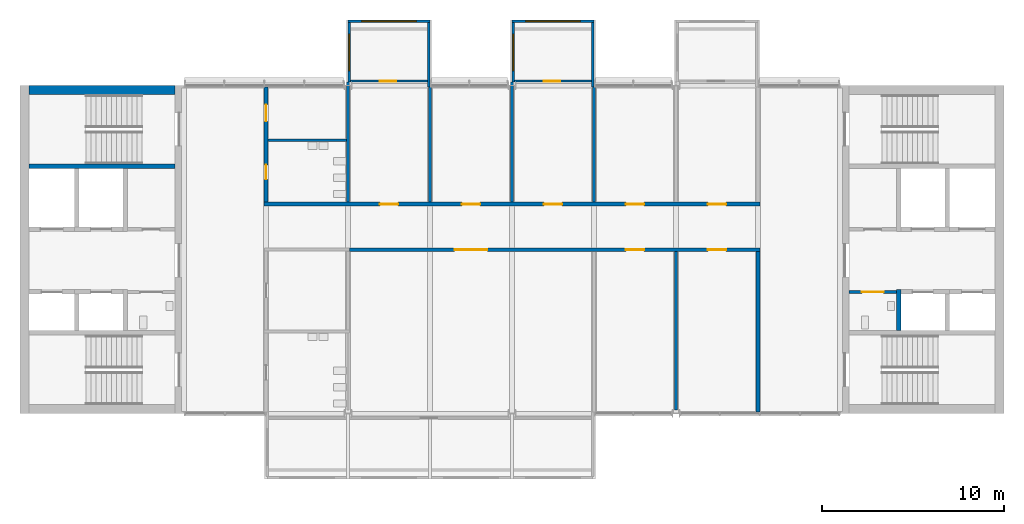
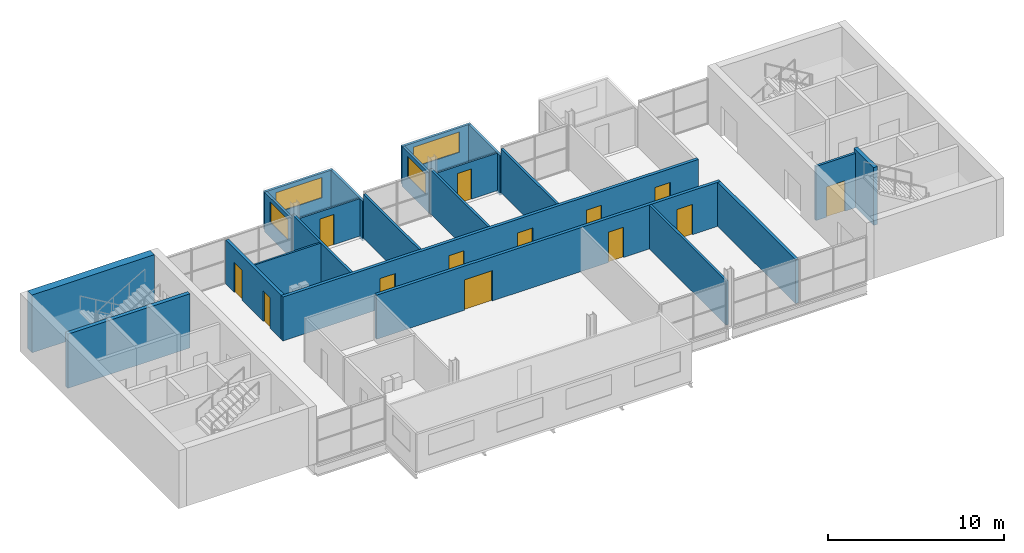
# One storey, part 6 of 11: 22 walls, 13 doors, 4 windows, 17 openings.
"""IFC4 building model written with IfcOpenShell, lengths in metres."""

from ifc_helpers import new_model, si_unit, direction, frame, frame_2d, origin, place, context, subcontext, project, spatial, rectangle, extrude, material, layer, layer_set, type_object, element, fill, save


model = new_model("IFC4")

# Units and contexts
model_context = context("Model", 3, precision=1e-05, world=origin(), true_north=direction((0.0, 1.0)))
body_context = subcontext(model_context, "Body", "Model", "MODEL_VIEW")
ifc_project = project(units=[si_unit("LENGTHUNIT", "METRE"), si_unit("AREAUNIT", "SQUARE_METRE"), si_unit("VOLUMEUNIT", "CUBIC_METRE"), si_unit("PLANEANGLEUNIT", "RADIAN"), si_unit("MASSUNIT", "GRAM", prefix="KILO")], contexts=[model_context])

# Site, building, storey
site_placement = place(None, origin())
site = spatial("IfcSite", under=ifc_project, at=site_placement, CompositionType="ELEMENT")
building_placement = place(site_placement, origin())
building = spatial("IfcBuilding", under=site, at=building_placement, Name="Corbel Yard City Hall", CompositionType="ELEMENT")
storey_placement = place(building_placement, frame((0.0, 0.0, 39.199951171875)))
storey = spatial("IfcBuildingStorey", under=building, at=storey_placement, Name="L09", CompositionType="ELEMENT", Elevation=39.199951171875)

# Walls
ifc_material_1 = material(Name="Concrete N40 (40 MPa)", Category="concrete")
ifc_layer_1 = layer(ifc_material_1, 0.25)
ifc_layer_set_1 = layer_set([ifc_layer_1], Name="Concrete N40 (40 MPa)")
wall_type_1 = type_object("IfcWallType", Name="IW2", PredefinedType="SOLIDWALL", material=ifc_layer_set_1)
wall_1_placement = place(storey_placement, frame((8.5, 112.574951171875, 0.0), z_axis=(0.0, 0.0, 1.0), x_axis=(-1.0, 0.0, 0.0)))
element("IfcWall", 1, at=wall_1_placement, inside=storey, type_object=wall_type_1, Name="Stair enclosure wall", PredefinedType="SOLIDWALL", context=body_context, shape_type="SweptSolid", body=[
    extrude(rectangle(XDim=8.0, YDim=0.25, at=frame_2d((4.0, 0.0))), origin(), (0.0, 0.0, 1.0), 3.75),
])
wall_2_placement = place(storey_placement, frame((48.22509765625, 103.550048828125, 0.0), z_axis=(0.0, 0.0, 1.0), x_axis=(0.0, 1.0, 0.0)))
element("IfcWall", 2, at=wall_2_placement, inside=storey, type_object=wall_type_1, Name="Lift LP25 shaft wall", PredefinedType="SOLIDWALL", context=body_context, shape_type="SweptSolid", body=[
    extrude(rectangle(XDim=2.25, YDim=0.25, at=frame_2d((1.125, 0.0))), origin(), (0.0, 0.0, 1.0), 4.0),
])

# Wall, opening, window
ifc_material_2 = material(Name="Anodised aluminium", Category="aluminium")
ifc_layer_2 = layer(ifc_material_2, 0.02392578125)
ifc_material_3 = material(Name="Steel Grade G550 (550 MPa yield)", Category="steel")
ifc_layer_3 = layer(ifc_material_3, 0.10009765625)
ifc_material_4 = material(Name="Gypsum plasterboard", Category="gypsum")
ifc_layer_4 = layer(ifc_material_4, 0.02587890625)
ifc_layer_set_2 = layer_set([ifc_layer_2, ifc_layer_3, ifc_layer_4], Name="Steel Grade G550 (550 MPa yield)")
wall_type_2 = type_object("IfcWallType", Name="PD1", PredefinedType="SOLIDWALL", material=ifc_layer_set_2)
wall_3_placement = place(storey_placement, frame((18.0, 120.52490234375, 0.0), z_axis=(0.0, 0.0, 1.0), x_axis=(1.0, 0.0, 0.0)))
wall_3 = element("IfcWall", 3, at=wall_3_placement, inside=storey, type_object=wall_type_2, Name="Pod outer wall L09", PredefinedType="SOLIDWALL", context=body_context, shape_type="SweptSolid", body=[
    extrude(rectangle(XDim=4.5, YDim=0.14990234375, at=frame_2d((2.25, 0.0))), origin(), (0.0, 0.0, 1.0), 2.60009765625),
])
opening_1_placement = place(wall_3_placement, frame((0.75, 0.0, 0.89990234375)))
opening_1 = element("IfcOpeningElement", 4, at=opening_1_placement, cuts=wall_3, Name="Opening WN5", PredefinedType="OPENING", context=body_context, shape_type="SweptSolid", body=[
    extrude(rectangle(XDim=3.0, YDim=1.39990234375, at=frame_2d((1.5, 0.699951171875))), frame((0.0, 0.0849609375, 0.0), z_axis=(0.0, -1.0, 0.0), x_axis=(1.0, 0.0, 0.0)), (0.0, 0.0, 1.0), 0.169921875),
])
ifc_material_5 = material(Name="Aluminium frame, double glazed low-e glass", Category="aluminium")
window_type_1 = type_object("IfcWindowType", Name="WN5", PartitioningType="SINGLE_PANEL", PredefinedType="WINDOW", material=ifc_material_5)
window_1_placement = place(opening_1_placement, origin())
window_1 = element("IfcWindow", 5, at=window_1_placement, inside=storey, type_object=window_type_1, Name="Window WN5 L09", OverallHeight=1.39990234375, OverallWidth=3.0, PartitioningType="SINGLE_PANEL", PredefinedType="WINDOW", context=body_context, shape_type="SweptSolid", body=[
    extrude(rectangle(XDim=3.0, YDim=1.39990234375, at=frame_2d((1.5, 0.699951171875))), frame((0.0, 0.030029296875, 0.0), z_axis=(0.0, -1.0, 0.0), x_axis=(1.0, 0.0, 0.0)), (0.0, 0.0, 1.0), 0.06005859375),
])
fill(opening_1, window_1)

wall_4_placement = place(storey_placement, frame((27.0, 120.52490234375, 0.0), z_axis=(0.0, 0.0, 1.0), x_axis=(1.0, 0.0, 0.0)))
wall_4 = element("IfcWall", 6, at=wall_4_placement, inside=storey, type_object=wall_type_2, Name="Pod outer wall L09", PredefinedType="SOLIDWALL", context=body_context, shape_type="SweptSolid", body=[
    extrude(rectangle(XDim=4.5, YDim=0.14990234375, at=frame_2d((2.25, 0.0))), origin(), (0.0, 0.0, 1.0), 2.60009765625),
])
opening_2_placement = place(wall_4_placement, frame((0.75, 0.0, 0.89990234375)))
opening_2 = element("IfcOpeningElement", 7, at=opening_2_placement, cuts=wall_4, Name="Opening WN5", PredefinedType="OPENING", context=body_context, shape_type="SweptSolid", body=[
    extrude(rectangle(XDim=3.0, YDim=1.39990234375, at=frame_2d((1.5, 0.699951171875))), frame((0.0, 0.0849609375, 0.0), z_axis=(0.0, -1.0, 0.0), x_axis=(1.0, 0.0, 0.0)), (0.0, 0.0, 1.0), 0.169921875),
])
window_2_placement = place(opening_2_placement, origin())
window_2 = element("IfcWindow", 8, at=window_2_placement, inside=storey, type_object=window_type_1, Name="Window WN5 L09", OverallHeight=1.39990234375, OverallWidth=3.0, PartitioningType="SINGLE_PANEL", PredefinedType="WINDOW", context=body_context, shape_type="SweptSolid", body=[
    extrude(rectangle(XDim=3.0, YDim=1.39990234375, at=frame_2d((1.5, 0.699951171875))), frame((0.0, 0.030029296875, 0.0), z_axis=(0.0, -1.0, 0.0), x_axis=(1.0, 0.0, 0.0)), (0.0, 0.0, 1.0), 0.06005859375),
])
fill(opening_2, window_2)

# Wall, opening, door
ifc_layer_5 = layer(ifc_material_4, 0.01806640625)
ifc_layer_6 = layer(ifc_material_3, 0.06396484375)
ifc_layer_7 = layer(ifc_material_4, 0.01806640625)
ifc_layer_set_3 = layer_set([ifc_layer_5, ifc_layer_6, ifc_layer_7], Name="Steel Grade G550 (550 MPa yield)")
wall_type_3 = type_object("IfcWallType", Name="PD2", PredefinedType="PARTITIONING", material=ifc_layer_set_3)
wall_5_placement = place(storey_placement, frame((18.14990234375, 117.25, 0.0), z_axis=(0.0, 0.0, 1.0), x_axis=(1.0, 0.0, 0.0)))
wall_5 = element("IfcWall", 9, at=wall_5_placement, inside=storey, type_object=wall_type_3, Name="Pod inner wall L09", PredefinedType="PARTITIONING", context=body_context, shape_type="SweptSolid", body=[
    extrude(rectangle(XDim=4.2001953125, YDim=0.10009765625, at=frame_2d((2.10009765625, 0.0))), origin(), (0.0, 0.0, 1.0), 2.60009765625),
])
opening_3_placement = place(wall_5_placement, frame((1.60009765625, 0.0, 0.0)))
opening_3 = element("IfcOpeningElement", 10, at=opening_3_placement, cuts=wall_5, Name="Opening T2-002", PredefinedType="OPENING", context=body_context, shape_type="SweptSolid", body=[
    extrude(rectangle(XDim=0.89990234375, YDim=2.10009765625, at=frame_2d((0.449951171875, 1.050048828125))), frame((0.0, 0.06005859375, 0.0), z_axis=(0.0, -1.0, 0.0), x_axis=(1.0, 0.0, 0.0)), (0.0, 0.0, 1.0), 0.1201171875),
])
ifc_material_6 = material(Name="Timber, solid core", Category="wood")
door_type_1 = type_object("IfcDoorType", Name="XD6", OperationType="SINGLE_SWING_LEFT", PredefinedType="DOOR", material=ifc_material_6)
door_1_placement = place(opening_3_placement, origin())
door_1 = element("IfcDoor", 11, at=door_1_placement, inside=storey, type_object=door_type_1, Name="Pod door L09", OperationType="SINGLE_SWING_LEFT", OverallHeight=2.10009765625, OverallWidth=0.89990234375, PredefinedType="DOOR", context=body_context, shape_type="SweptSolid", body=[
    extrude(rectangle(XDim=0.89990234375, YDim=2.10009765625, at=frame_2d((0.449951171875, 1.050048828125))), frame((0.0, 0.02490234375, 0.0), z_axis=(0.0, -1.0, 0.0), x_axis=(1.0, 0.0, 0.0)), (0.0, 0.0, 1.0), 0.050048828125),
])
fill(opening_3, door_1)

wall_6_placement = place(storey_placement, frame((27.14990234375, 117.25, 0.0), z_axis=(0.0, 0.0, 1.0), x_axis=(1.0, 0.0, 0.0)))
wall_6 = element("IfcWall", 12, at=wall_6_placement, inside=storey, type_object=wall_type_3, Name="Pod inner wall L09", PredefinedType="PARTITIONING", context=body_context, shape_type="SweptSolid", body=[
    extrude(rectangle(XDim=4.2001953125, YDim=0.10009765625, at=frame_2d((2.10009765625, 0.0))), origin(), (0.0, 0.0, 1.0), 2.60009765625),
])
opening_4_placement = place(wall_6_placement, frame((1.60009765625, 0.0, 0.0)))
opening_4 = element("IfcOpeningElement", 13, at=opening_4_placement, cuts=wall_6, Name="Opening T2-003", PredefinedType="OPENING", context=body_context, shape_type="SweptSolid", body=[
    extrude(rectangle(XDim=0.89990234375, YDim=2.10009765625, at=frame_2d((0.449951171875, 1.050048828125))), frame((0.0, 0.06005859375, 0.0), z_axis=(0.0, -1.0, 0.0), x_axis=(1.0, 0.0, 0.0)), (0.0, 0.0, 1.0), 0.1201171875),
])
door_2_placement = place(opening_4_placement, origin())
door_2 = element("IfcDoor", 14, at=door_2_placement, inside=storey, type_object=door_type_1, Name="Pod door L09", OperationType="SINGLE_SWING_LEFT", OverallHeight=2.10009765625, OverallWidth=0.89990234375, PredefinedType="DOOR", context=body_context, shape_type="SweptSolid", body=[
    extrude(rectangle(XDim=0.89990234375, YDim=2.10009765625, at=frame_2d((0.449951171875, 1.050048828125))), frame((0.0, 0.02490234375, 0.0), z_axis=(0.0, -1.0, 0.0), x_axis=(1.0, 0.0, 0.0)), (0.0, 0.0, 1.0), 0.050048828125),
])
fill(opening_4, door_2)

# Wall, opening, window
ifc_layer_8 = layer(ifc_material_2, 0.02392578125)
ifc_layer_9 = layer(ifc_material_3, 0.10009765625)
ifc_layer_10 = layer(ifc_material_4, 0.02587890625)
ifc_layer_set_4 = layer_set([ifc_layer_8, ifc_layer_9, ifc_layer_10], Name="Steel Grade G550 (550 MPa yield)")
wall_type_4 = type_object("IfcWallType", Name="PD3", PredefinedType="SOLIDWALL", material=ifc_layer_set_4)
wall_7_placement = place(storey_placement, frame((18.074951171875, 120.449951171875, -0.14990234375), z_axis=(0.0, 0.0, 1.0), x_axis=(0.0, -1.0, 0.0)))
wall_7 = element("IfcWall", 15, at=wall_7_placement, inside=storey, type_object=wall_type_4, Name="Pod side wall L09", PredefinedType="SOLIDWALL", context=body_context, shape_type="SweptSolid", body=[
    extrude(rectangle(XDim=3.25, YDim=0.14990234375, at=frame_2d((1.625, 0.0))), origin(), (0.0, 0.0, 1.0), 2.75),
])
opening_5_placement = place(wall_7_placement, frame((0.625, 0.0, 1.050048828125)))
opening_5 = element("IfcOpeningElement", 16, at=opening_5_placement, cuts=wall_7, Name="Opening WN6", PredefinedType="OPENING", context=body_context, shape_type="SweptSolid", body=[
    extrude(rectangle(XDim=2.0, YDim=1.39990234375, at=frame_2d((1.0, 0.699951171875))), frame((0.0, 0.0849609375, 0.0), z_axis=(0.0, -1.0, 0.0), x_axis=(1.0, 0.0, 0.0)), (0.0, 0.0, 1.0), 0.169921875),
])
window_type_2 = type_object("IfcWindowType", Name="WN6", PartitioningType="SINGLE_PANEL", PredefinedType="WINDOW", material=ifc_material_5)
window_3_placement = place(opening_5_placement, origin())
window_3 = element("IfcWindow", 17, at=window_3_placement, inside=storey, type_object=window_type_2, Name="Window WN6 L09", OverallHeight=1.39990234375, OverallWidth=2.0, PartitioningType="SINGLE_PANEL", PredefinedType="WINDOW", context=body_context, shape_type="SweptSolid", body=[
    extrude(rectangle(XDim=2.0, YDim=1.39990234375, at=frame_2d((1.0, 0.699951171875))), frame((0.0, 0.030029296875, 0.0), z_axis=(0.0, -1.0, 0.0), x_axis=(1.0, 0.0, 0.0)), (0.0, 0.0, 1.0), 0.06005859375),
])
fill(opening_5, window_3)

# Wall
wall_8_placement = place(storey_placement, frame((22.425048828125, 120.449951171875, -0.14990234375), z_axis=(0.0, 0.0, 1.0), x_axis=(0.0, -1.0, 0.0)))
element("IfcWall", 18, at=wall_8_placement, inside=storey, type_object=wall_type_4, Name="Pod side wall L09", PredefinedType="SOLIDWALL", context=body_context, shape_type="SweptSolid", body=[
    extrude(rectangle(XDim=3.5400390625, YDim=0.14990234375, at=frame_2d((1.77001953125, 0.0))), origin(), (0.0, 0.0, 1.0), 2.75),
])

# Wall, opening, window
wall_9_placement = place(storey_placement, frame((27.074951171875, 120.449951171875, -0.14990234375), z_axis=(0.0, 0.0, 1.0), x_axis=(0.0, -1.0, 0.0)))
wall_9 = element("IfcWall", 19, at=wall_9_placement, inside=storey, type_object=wall_type_4, Name="Pod side wall L09", PredefinedType="SOLIDWALL", context=body_context, shape_type="SweptSolid", body=[
    extrude(rectangle(XDim=3.25, YDim=0.14990234375, at=frame_2d((1.625, 0.0))), origin(), (0.0, 0.0, 1.0), 2.75),
])
opening_6_placement = place(wall_9_placement, frame((0.625, 0.0, 1.050048828125)))
opening_6 = element("IfcOpeningElement", 20, at=opening_6_placement, cuts=wall_9, Name="Opening WN6", PredefinedType="OPENING", context=body_context, shape_type="SweptSolid", body=[
    extrude(rectangle(XDim=2.0, YDim=1.39990234375, at=frame_2d((1.0, 0.699951171875))), frame((0.0, 0.0849609375, 0.0), z_axis=(0.0, -1.0, 0.0), x_axis=(1.0, 0.0, 0.0)), (0.0, 0.0, 1.0), 0.169921875),
])
window_4_placement = place(opening_6_placement, origin())
window_4 = element("IfcWindow", 21, at=window_4_placement, inside=storey, type_object=window_type_2, Name="Window WN6 L09", OverallHeight=1.39990234375, OverallWidth=2.0, PartitioningType="SINGLE_PANEL", PredefinedType="WINDOW", context=body_context, shape_type="SweptSolid", body=[
    extrude(rectangle(XDim=2.0, YDim=1.39990234375, at=frame_2d((1.0, 0.699951171875))), frame((0.0, 0.030029296875, 0.0), z_axis=(0.0, -1.0, 0.0), x_axis=(1.0, 0.0, 0.0)), (0.0, 0.0, 1.0), 0.06005859375),
])
fill(opening_6, window_4)

# Walls
wall_10_placement = place(storey_placement, frame((31.425048828125, 120.449951171875, -0.14990234375), z_axis=(0.0, 0.0, 1.0), x_axis=(0.0, -1.0, 0.0)))
element("IfcWall", 22, at=wall_10_placement, inside=storey, type_object=wall_type_4, Name="Pod side wall L09", PredefinedType="SOLIDWALL", context=body_context, shape_type="SweptSolid", body=[
    extrude(rectangle(XDim=3.5400390625, YDim=0.14990234375, at=frame_2d((1.77001953125, 0.0))), origin(), (0.0, 0.0, 1.0), 2.75),
])
ifc_layer_11 = layer(ifc_material_4, 0.028076171875)
ifc_layer_12 = layer(ifc_material_3, 0.06396484375)
ifc_layer_13 = layer(ifc_material_4, 0.028076171875)
ifc_layer_set_5 = layer_set([ifc_layer_11, ifc_layer_12, ifc_layer_13], Name="Steel Grade G550 (550 MPa yield)")
wall_type_5 = type_object("IfcWallType", Name="PT1", PredefinedType="PARTITIONING", material=ifc_layer_set_5)
wall_11_placement = place(storey_placement, frame((13.60009765625, 114.0, 0.0), z_axis=(0.0, 0.0, 1.0), x_axis=(1.0, 0.0, 0.0)))
element("IfcWall", 23, at=wall_11_placement, inside=storey, type_object=wall_type_5, Name="Partition", PredefinedType="PARTITIONING", context=body_context, shape_type="SweptSolid", body=[
    extrude(rectangle(XDim=4.324951171875, YDim=0.1201171875, at=frame_2d((2.16259765625, 0.0))), origin(), (0.0, 0.0, 1.0), 3.050048828125),
])

# Wall, openings, doors
ifc_layer_14 = layer(ifc_material_4, 0.031982421875)
ifc_layer_15 = layer(ifc_material_3, 0.135986328125)
ifc_layer_16 = layer(ifc_material_4, 0.031982421875)
ifc_layer_set_6 = layer_set([ifc_layer_14, ifc_layer_15, ifc_layer_16], Name="Steel Grade G550 (550 MPa yield)")
wall_type_6 = type_object("IfcWallType", Name="PT2", PredefinedType="PARTITIONING", material=ifc_layer_set_6)
wall_12_placement = place(storey_placement, frame((18.080078125, 108.0, 0.0), z_axis=(0.0, 0.0, 1.0), x_axis=(1.0, 0.0, 0.0)))
wall_12 = element("IfcWall", 24, at=wall_12_placement, inside=storey, type_object=wall_type_6, Name="Acoustic wall", PredefinedType="PARTITIONING", context=body_context, shape_type="SweptSolid", body=[
    extrude(rectangle(XDim=22.52001953125, YDim=0.199951171875, at=frame_2d((11.260009765625, 0.0))), origin(), (0.0, 0.0, 1.0), 3.050048828125),
])
opening_7_placement = place(wall_12_placement, frame((5.77001953125, 0.0, 0.0)))
opening_7 = element("IfcOpeningElement", 25, at=opening_7_placement, cuts=wall_12, Name="Opening T2-015", PredefinedType="OPENING", context=body_context, shape_type="SweptSolid", body=[
    extrude(rectangle(XDim=1.800048828125, YDim=2.10009765625, at=frame_2d((0.89990234375, 1.050048828125))), frame((0.0, 0.10986328125, 0.0), z_axis=(0.0, -1.0, 0.0), x_axis=(1.0, 0.0, 0.0)), (0.0, 0.0, 1.0), 0.219970703125),
])
opening_8_placement = place(wall_12_placement, frame((15.169921875, 0.0, 0.0)))
opening_8 = element("IfcOpeningElement", 26, at=opening_8_placement, cuts=wall_12, Name="Opening T2-016", PredefinedType="OPENING", context=body_context, shape_type="SweptSolid", body=[
    extrude(rectangle(XDim=1.0, YDim=2.10009765625, at=frame_2d((0.5, 1.050048828125))), frame((0.0, 0.10986328125, 0.0), z_axis=(0.0, -1.0, 0.0), x_axis=(1.0, 0.0, 0.0)), (0.0, 0.0, 1.0), 0.219970703125),
])
opening_9_placement = place(wall_12_placement, frame((19.669921875, 0.0, 0.0)))
opening_9 = element("IfcOpeningElement", 27, at=opening_9_placement, cuts=wall_12, Name="Opening T2-017", PredefinedType="OPENING", context=body_context, shape_type="SweptSolid", body=[
    extrude(rectangle(XDim=1.0, YDim=2.10009765625, at=frame_2d((0.5, 1.050048828125))), frame((0.0, 0.10986328125, 0.0), z_axis=(0.0, -1.0, 0.0), x_axis=(1.0, 0.0, 0.0)), (0.0, 0.0, 1.0), 0.219970703125),
])
ifc_material_7 = material(Name="Timber", Category="wood")
door_type_2 = type_object("IfcDoorType", Name="D1", OperationType="SINGLE_SWING_LEFT", PredefinedType="DOOR", material=ifc_material_7)
door_3_placement = place(opening_8_placement, frame((1.0, 0.0, 0.0), z_axis=(0.0, 0.0, 1.0), x_axis=(-1.0, 0.0, 0.0)))
door_3 = element("IfcDoor", 28, at=door_3_placement, inside=storey, type_object=door_type_2, Name="Door Councillors' Suite 0907", OperationType="SINGLE_SWING_RIGHT", OverallHeight=2.10009765625, OverallWidth=1.0, PredefinedType="DOOR", context=body_context, shape_type="SweptSolid", body=[
    extrude(rectangle(XDim=1.0, YDim=2.10009765625, at=frame_2d((0.5, 1.050048828125))), frame((0.0, 0.02490234375, 0.0), z_axis=(0.0, -1.0, 0.0), x_axis=(1.0, 0.0, 0.0)), (0.0, 0.0, 1.0), 0.050048828125),
])
fill(opening_8, door_3)
door_4_placement = place(opening_9_placement, frame((1.0, 0.0, 0.0), z_axis=(0.0, 0.0, 1.0), x_axis=(-1.0, 0.0, 0.0)))
door_4 = element("IfcDoor", 29, at=door_4_placement, inside=storey, type_object=door_type_2, Name="Door Councillors' Suite 0908", OperationType="SINGLE_SWING_RIGHT", OverallHeight=2.10009765625, OverallWidth=1.0, PredefinedType="DOOR", context=body_context, shape_type="SweptSolid", body=[
    extrude(rectangle(XDim=1.0, YDim=2.10009765625, at=frame_2d((0.5, 1.050048828125))), frame((0.0, 0.02490234375, 0.0), z_axis=(0.0, -1.0, 0.0), x_axis=(1.0, 0.0, 0.0)), (0.0, 0.0, 1.0), 0.050048828125),
])
fill(opening_9, door_4)
door_type_3 = type_object("IfcDoorType", Name="D3", OperationType="DOUBLE_DOOR_SINGLE_SWING", PredefinedType="DOOR", material=ifc_material_7)
door_5_placement = place(opening_7_placement, origin())
door_5 = element("IfcDoor", 30, at=door_5_placement, inside=storey, type_object=door_type_3, Name="Door Councillors' Group Room 0906", OperationType="DOUBLE_DOOR_SINGLE_SWING", OverallHeight=2.10009765625, OverallWidth=1.800048828125, PredefinedType="DOOR", context=body_context, shape_type="SweptSolid", body=[
    extrude(rectangle(XDim=1.800048828125, YDim=2.10009765625, at=frame_2d((0.89990234375, 1.050048828125))), frame((0.0, 0.02490234375, 0.0), z_axis=(0.0, -1.0, 0.0), x_axis=(1.0, 0.0, 0.0)), (0.0, 0.0, 1.0), 0.050048828125),
])
fill(opening_7, door_5)

wall_13_placement = place(storey_placement, frame((13.39990234375, 110.5, 0.0), z_axis=(0.0, 0.0, 1.0), x_axis=(1.0, 0.0, 0.0)))
wall_13 = element("IfcWall", 31, at=wall_13_placement, inside=storey, type_object=wall_type_6, Name="Acoustic wall", PredefinedType="PARTITIONING", context=body_context, shape_type="SweptSolid", body=[
    extrude(rectangle(XDim=27.2001953125, YDim=0.199951171875, at=frame_2d((13.60009765625, 0.0))), origin(), (0.0, 0.0, 1.0), 3.050048828125),
])
opening_10_placement = place(wall_13_placement, frame((6.35009765625, 0.0, 0.0)))
opening_10 = element("IfcOpeningElement", 32, at=opening_10_placement, cuts=wall_13, Name="Opening T2-020", PredefinedType="OPENING", context=body_context, shape_type="SweptSolid", body=[
    extrude(rectangle(XDim=1.0, YDim=2.10009765625, at=frame_2d((0.5, 1.050048828125))), frame((0.0, 0.10986328125, 0.0), z_axis=(0.0, -1.0, 0.0), x_axis=(1.0, 0.0, 0.0)), (0.0, 0.0, 1.0), 0.219970703125),
])
opening_11_placement = place(wall_13_placement, frame((10.85009765625, 0.0, 0.0)))
opening_11 = element("IfcOpeningElement", 33, at=opening_11_placement, cuts=wall_13, Name="Opening T2-021", PredefinedType="OPENING", context=body_context, shape_type="SweptSolid", body=[
    extrude(rectangle(XDim=1.0, YDim=2.10009765625, at=frame_2d((0.5, 1.050048828125))), frame((0.0, 0.10986328125, 0.0), z_axis=(0.0, -1.0, 0.0), x_axis=(1.0, 0.0, 0.0)), (0.0, 0.0, 1.0), 0.219970703125),
])
opening_12_placement = place(wall_13_placement, frame((15.35009765625, 0.0, 0.0)))
opening_12 = element("IfcOpeningElement", 34, at=opening_12_placement, cuts=wall_13, Name="Opening T2-022", PredefinedType="OPENING", context=body_context, shape_type="SweptSolid", body=[
    extrude(rectangle(XDim=1.0, YDim=2.10009765625, at=frame_2d((0.5, 1.050048828125))), frame((0.0, 0.10986328125, 0.0), z_axis=(0.0, -1.0, 0.0), x_axis=(1.0, 0.0, 0.0)), (0.0, 0.0, 1.0), 0.219970703125),
])
opening_13_placement = place(wall_13_placement, frame((19.85009765625, 0.0, 0.0)))
opening_13 = element("IfcOpeningElement", 35, at=opening_13_placement, cuts=wall_13, Name="Opening T2-023", PredefinedType="OPENING", context=body_context, shape_type="SweptSolid", body=[
    extrude(rectangle(XDim=1.0, YDim=2.10009765625, at=frame_2d((0.5, 1.050048828125))), frame((0.0, 0.10986328125, 0.0), z_axis=(0.0, -1.0, 0.0), x_axis=(1.0, 0.0, 0.0)), (0.0, 0.0, 1.0), 0.219970703125),
])
opening_14_placement = place(wall_13_placement, frame((24.35009765625, 0.0, 0.0)))
opening_14 = element("IfcOpeningElement", 36, at=opening_14_placement, cuts=wall_13, Name="Opening T2-024", PredefinedType="OPENING", context=body_context, shape_type="SweptSolid", body=[
    extrude(rectangle(XDim=1.0, YDim=2.10009765625, at=frame_2d((0.5, 1.050048828125))), frame((0.0, 0.10986328125, 0.0), z_axis=(0.0, -1.0, 0.0), x_axis=(1.0, 0.0, 0.0)), (0.0, 0.0, 1.0), 0.219970703125),
])
door_6_placement = place(opening_10_placement, origin())
door_6 = element("IfcDoor", 37, at=door_6_placement, inside=storey, type_object=door_type_2, Name="Door Councillors' Suite 0911", OperationType="SINGLE_SWING_LEFT", OverallHeight=2.10009765625, OverallWidth=1.0, PredefinedType="DOOR", context=body_context, shape_type="SweptSolid", body=[
    extrude(rectangle(XDim=1.0, YDim=2.10009765625, at=frame_2d((0.5, 1.050048828125))), frame((0.0, 0.02490234375, 0.0), z_axis=(0.0, -1.0, 0.0), x_axis=(1.0, 0.0, 0.0)), (0.0, 0.0, 1.0), 0.050048828125),
])
fill(opening_10, door_6)
door_7_placement = place(opening_11_placement, origin())
door_7 = element("IfcDoor", 38, at=door_7_placement, inside=storey, type_object=door_type_2, Name="Door Councillors' Suite 0912", OperationType="SINGLE_SWING_LEFT", OverallHeight=2.10009765625, OverallWidth=1.0, PredefinedType="DOOR", context=body_context, shape_type="SweptSolid", body=[
    extrude(rectangle(XDim=1.0, YDim=2.10009765625, at=frame_2d((0.5, 1.050048828125))), frame((0.0, 0.02490234375, 0.0), z_axis=(0.0, -1.0, 0.0), x_axis=(1.0, 0.0, 0.0)), (0.0, 0.0, 1.0), 0.050048828125),
])
fill(opening_11, door_7)
door_8_placement = place(opening_12_placement, origin())
door_8 = element("IfcDoor", 39, at=door_8_placement, inside=storey, type_object=door_type_2, Name="Door Councillors' Suite 0913", OperationType="SINGLE_SWING_LEFT", OverallHeight=2.10009765625, OverallWidth=1.0, PredefinedType="DOOR", context=body_context, shape_type="SweptSolid", body=[
    extrude(rectangle(XDim=1.0, YDim=2.10009765625, at=frame_2d((0.5, 1.050048828125))), frame((0.0, 0.02490234375, 0.0), z_axis=(0.0, -1.0, 0.0), x_axis=(1.0, 0.0, 0.0)), (0.0, 0.0, 1.0), 0.050048828125),
])
fill(opening_12, door_8)
door_9_placement = place(opening_13_placement, origin())
door_9 = element("IfcDoor", 40, at=door_9_placement, inside=storey, type_object=door_type_2, Name="Door Councillors' Suite 0914", OperationType="SINGLE_SWING_LEFT", OverallHeight=2.10009765625, OverallWidth=1.0, PredefinedType="DOOR", context=body_context, shape_type="SweptSolid", body=[
    extrude(rectangle(XDim=1.0, YDim=2.10009765625, at=frame_2d((0.5, 1.050048828125))), frame((0.0, 0.02490234375, 0.0), z_axis=(0.0, -1.0, 0.0), x_axis=(1.0, 0.0, 0.0)), (0.0, 0.0, 1.0), 0.050048828125),
])
fill(opening_13, door_9)
door_10_placement = place(opening_14_placement, origin())
door_10 = element("IfcDoor", 41, at=door_10_placement, inside=storey, type_object=door_type_2, Name="Door Councillors' Suite 0915", OperationType="SINGLE_SWING_LEFT", OverallHeight=2.10009765625, OverallWidth=1.0, PredefinedType="DOOR", context=body_context, shape_type="SweptSolid", body=[
    extrude(rectangle(XDim=1.0, YDim=2.10009765625, at=frame_2d((0.5, 1.050048828125))), frame((0.0, 0.02490234375, 0.0), z_axis=(0.0, -1.0, 0.0), x_axis=(1.0, 0.0, 0.0)), (0.0, 0.0, 1.0), 0.050048828125),
])
fill(opening_14, door_10)

wall_14_placement = place(storey_placement, frame((13.5, 110.60009765625, 0.0), z_axis=(0.0, 0.0, 1.0), x_axis=(0.0, 1.0, 0.0)))
wall_14 = element("IfcWall", 42, at=wall_14_placement, inside=storey, type_object=wall_type_6, Name="Acoustic wall", PredefinedType="PARTITIONING", context=body_context, shape_type="SweptSolid", body=[
    extrude(rectangle(XDim=6.309814453125, YDim=0.199951171875, at=frame_2d((3.15478515625, 0.0))), origin(), (0.0, 0.0, 1.0), 3.050048828125),
])
opening_15_placement = place(wall_14_placement, frame((1.25, 0.0, 0.0)))
opening_15 = element("IfcOpeningElement", 43, at=opening_15_placement, cuts=wall_14, Name="Opening T2-018", PredefinedType="OPENING", context=body_context, shape_type="SweptSolid", body=[
    extrude(rectangle(XDim=0.800048828125, YDim=2.10009765625, at=frame_2d((0.39990234375, 1.050048828125))), frame((0.0, 0.10986328125, 0.0), z_axis=(0.0, -1.0, 0.0), x_axis=(1.0, 0.0, 0.0)), (0.0, 0.0, 1.0), 0.219970703125),
])
opening_16_placement = place(wall_14_placement, frame((4.43994140625, 0.0, 0.0)))
opening_16 = element("IfcOpeningElement", 44, at=opening_16_placement, cuts=wall_14, Name="Opening T2-019", PredefinedType="OPENING", context=body_context, shape_type="SweptSolid", body=[
    extrude(rectangle(XDim=0.919921875, YDim=2.10009765625, at=frame_2d((0.4599609375, 1.050048828125))), frame((0.0, 0.10986328125, 0.0), z_axis=(0.0, -1.0, 0.0), x_axis=(1.0, 0.0, 0.0)), (0.0, 0.0, 1.0), 0.219970703125),
])
door_type_4 = type_object("IfcDoorType", Name="D4", OperationType="SINGLE_SWING_LEFT", PredefinedType="DOOR", material=ifc_material_7)
door_11_placement = place(opening_16_placement, frame((0.919921875, 0.0, 0.0), z_axis=(0.0, 0.0, 1.0), x_axis=(-1.0, 0.0, 0.0)))
door_11 = element("IfcDoor", 45, at=door_11_placement, inside=storey, type_object=door_type_4, Name="Door Pantry 0910", OperationType="SINGLE_SWING_RIGHT", OverallHeight=2.10009765625, OverallWidth=0.919921875, PredefinedType="DOOR", context=body_context, shape_type="SweptSolid", body=[
    extrude(rectangle(XDim=0.919921875, YDim=2.10009765625, at=frame_2d((0.4599609375, 1.050048828125))), frame((0.0, 0.02490234375, 0.0), z_axis=(0.0, -1.0, 0.0), x_axis=(1.0, 0.0, 0.0)), (0.0, 0.0, 1.0), 0.050048828125),
])
fill(opening_16, door_11)
door_type_5 = type_object("IfcDoorType", Name="D44", OperationType="SINGLE_SWING_LEFT", PredefinedType="DOOR", material=ifc_material_7)
door_12_placement = place(opening_15_placement, frame((0.800048828125, 0.0, 0.0), z_axis=(0.0, 0.0, 1.0), x_axis=(-1.0, 0.0, 0.0)))
door_12 = element("IfcDoor", 46, at=door_12_placement, inside=storey, type_object=door_type_5, Name="Door Men's WC 0909", OperationType="SINGLE_SWING_RIGHT", OverallHeight=2.10009765625, OverallWidth=0.800048828125, PredefinedType="DOOR", context=body_context, shape_type="SweptSolid", body=[
    extrude(rectangle(XDim=0.800048828125, YDim=2.10009765625, at=frame_2d((0.39990234375, 1.050048828125))), frame((0.0, 0.02490234375, 0.0), z_axis=(0.0, -1.0, 0.0), x_axis=(1.0, 0.0, 0.0)), (0.0, 0.0, 1.0), 0.050048828125),
])
fill(opening_15, door_12)

# Wall
wall_15_placement = place(storey_placement, frame((40.5, 99.074951171875, 0.0), z_axis=(0.0, 0.0, 1.0), x_axis=(0.0, 1.0, 0.0)))
element("IfcWall", 47, at=wall_15_placement, inside=storey, type_object=wall_type_6, Name="Acoustic wall", PredefinedType="PARTITIONING", context=body_context, shape_type="SweptSolid", body=[
    extrude(rectangle(XDim=8.824951171875, YDim=0.199951171875, at=frame_2d((4.41259765625, 0.0))), origin(), (0.0, 0.0, 1.0), 3.050048828125),
])

# Wall, opening, door
ifc_layer_17 = layer(ifc_material_4, 0.031982421875)
ifc_layer_18 = layer(ifc_material_3, 0.095947265625)
ifc_layer_19 = layer(ifc_material_4, 0.031982421875)
ifc_layer_set_7 = layer_set([ifc_layer_17, ifc_layer_18, ifc_layer_19], Name="Steel Grade G550 (550 MPa yield)")
wall_type_7 = type_object("IfcWallType", Name="PT3", PredefinedType="PARTITIONING", material=ifc_layer_set_7)
wall_16_placement = place(storey_placement, frame((45.5, 105.675048828125, 0.0), z_axis=(0.0, 0.0, 1.0), x_axis=(1.0, 0.0, 0.0)))
wall_16 = element("IfcWall", 48, at=wall_16_placement, inside=storey, type_object=wall_type_7, Name="Accessible WC wall", PredefinedType="PARTITIONING", context=body_context, shape_type="SweptSolid", body=[
    extrude(rectangle(XDim=2.60009765625, YDim=0.159912109375, at=frame_2d((1.300048828125, 0.0))), origin(), (0.0, 0.0, 1.0), 3.75),
])
opening_17_placement = place(wall_16_placement, frame((0.699951171875, 0.0, 0.0)))
opening_17 = element("IfcOpeningElement", 49, at=opening_17_placement, cuts=wall_16, Name="Opening T2-033", PredefinedType="OPENING", context=body_context, shape_type="SweptSolid", body=[
    extrude(rectangle(XDim=1.199951171875, YDim=2.10009765625, at=frame_2d((0.60009765625, 1.050048828125))), frame((0.0, 0.08984375, 0.0), z_axis=(0.0, -1.0, 0.0), x_axis=(1.0, 0.0, 0.0)), (0.0, 0.0, 1.0), 0.179931640625),
])
ifc_material_8 = material(Name="Steel Grade G250", Category="steel")
door_type_6 = type_object("IfcDoorType", Name="FD7", OperationType="SINGLE_SWING_LEFT", PredefinedType="DOOR", material=ifc_material_8)
door_13_placement = place(opening_17_placement, frame((1.199951171875, 0.0, 0.0), z_axis=(0.0, 0.0, 1.0), x_axis=(-1.0, 0.0, 0.0)))
door_13 = element("IfcDoor", 50, at=door_13_placement, inside=storey, type_object=door_type_6, Name="Door accessible WC East", OperationType="SINGLE_SWING_RIGHT", OverallHeight=2.10009765625, OverallWidth=1.199951171875, PredefinedType="DOOR", context=body_context, shape_type="SweptSolid", body=[
    extrude(rectangle(XDim=1.199951171875, YDim=2.10009765625, at=frame_2d((0.60009765625, 1.050048828125))), frame((0.0, 0.02490234375, 0.0), z_axis=(0.0, -1.0, 0.0), x_axis=(1.0, 0.0, 0.0)), (0.0, 0.0, 1.0), 0.050048828125),
])
fill(opening_17, door_13)

# Walls
ifc_layer_20 = layer(ifc_material_4, 0.031982421875)
ifc_layer_21 = layer(ifc_material_3, 0.0859375)
ifc_layer_22 = layer(ifc_material_4, 0.031982421875)
ifc_layer_set_8 = layer_set([ifc_layer_20, ifc_layer_21, ifc_layer_22], Name="Steel Grade G550 (550 MPa yield)")
wall_type_8 = type_object("IfcWallType", Name="PT7", PredefinedType="PARTITIONING", material=ifc_layer_set_8)
wall_17_placement = place(storey_placement, frame((18.0, 110.60009765625, 0.0), z_axis=(0.0, 0.0, 1.0), x_axis=(0.0, 1.0, 0.0)))
element("IfcWall", 51, at=wall_17_placement, inside=storey, type_object=wall_type_8, Name="Suite partition", PredefinedType="PARTITIONING", context=body_context, shape_type="SweptSolid", body=[
    extrude(rectangle(XDim=6.599853515625, YDim=0.14990234375, at=frame_2d((3.2998046875, 0.0))), origin(), (0.0, 0.0, 1.0), 3.050048828125),
])
wall_18_placement = place(storey_placement, frame((22.5, 110.60009765625, 0.0), z_axis=(0.0, 0.0, 1.0), x_axis=(0.0, 1.0, 0.0)))
element("IfcWall", 52, at=wall_18_placement, inside=storey, type_object=wall_type_8, Name="Suite partition", PredefinedType="PARTITIONING", context=body_context, shape_type="SweptSolid", body=[
    extrude(rectangle(XDim=6.309814453125, YDim=0.14990234375, at=frame_2d((3.15478515625, 0.0))), origin(), (0.0, 0.0, 1.0), 3.050048828125),
])
wall_19_placement = place(storey_placement, frame((27.0, 110.60009765625, 0.0), z_axis=(0.0, 0.0, 1.0), x_axis=(0.0, 1.0, 0.0)))
element("IfcWall", 53, at=wall_19_placement, inside=storey, type_object=wall_type_8, Name="Suite partition", PredefinedType="PARTITIONING", context=body_context, shape_type="SweptSolid", body=[
    extrude(rectangle(XDim=6.599853515625, YDim=0.14990234375, at=frame_2d((3.2998046875, 0.0))), origin(), (0.0, 0.0, 1.0), 3.050048828125),
])
wall_20_placement = place(storey_placement, frame((31.5, 110.60009765625, 0.0), z_axis=(0.0, 0.0, 1.0), x_axis=(0.0, 1.0, 0.0)))
element("IfcWall", 54, at=wall_20_placement, inside=storey, type_object=wall_type_8, Name="Suite partition", PredefinedType="PARTITIONING", context=body_context, shape_type="SweptSolid", body=[
    extrude(rectangle(XDim=6.309814453125, YDim=0.14990234375, at=frame_2d((3.15478515625, 0.0))), origin(), (0.0, 0.0, 1.0), 3.050048828125),
])
wall_21_placement = place(storey_placement, frame((36.0, 99.20703125, 0.0), z_axis=(0.0, 0.0, 1.0), x_axis=(0.0, 1.0, 0.0)))
element("IfcWall", 55, at=wall_21_placement, inside=storey, type_object=wall_type_8, Name="Suite partition", PredefinedType="PARTITIONING", context=body_context, shape_type="SweptSolid", body=[
    extrude(rectangle(XDim=8.69287109375, YDim=0.14990234375, at=frame_2d((4.346435546875, 0.0))), origin(), (0.0, 0.0, 1.0), 3.050048828125),
])
ifc_material_9 = material(Name="Concrete N50 (50 MPa)", Category="concrete")
ifc_layer_23 = layer(ifc_material_9, 0.5)
ifc_layer_set_9 = layer_set([ifc_layer_23], Name="Concrete N50 (50 MPa)")
wall_type_9 = type_object("IfcWallType", Name="Trunk wall 500", PredefinedType="SHEAR", material=ifc_layer_set_9)
wall_22_placement = place(storey_placement, frame((0.5, 116.75, 0.0), z_axis=(0.0, 0.0, 1.0), x_axis=(1.0, 0.0, 0.0)))
element("IfcWall", 56, at=wall_22_placement, inside=storey, type_object=wall_type_9, Name="Trunk W north wall", PredefinedType="SHEAR", context=body_context, shape_type="SweptSolid", body=[
    extrude(rectangle(XDim=8.0, YDim=0.5, at=frame_2d((4.0, 0.0))), origin(), (0.0, 0.0, 1.0), 4.0),
])

save(model, "model.ifc")
